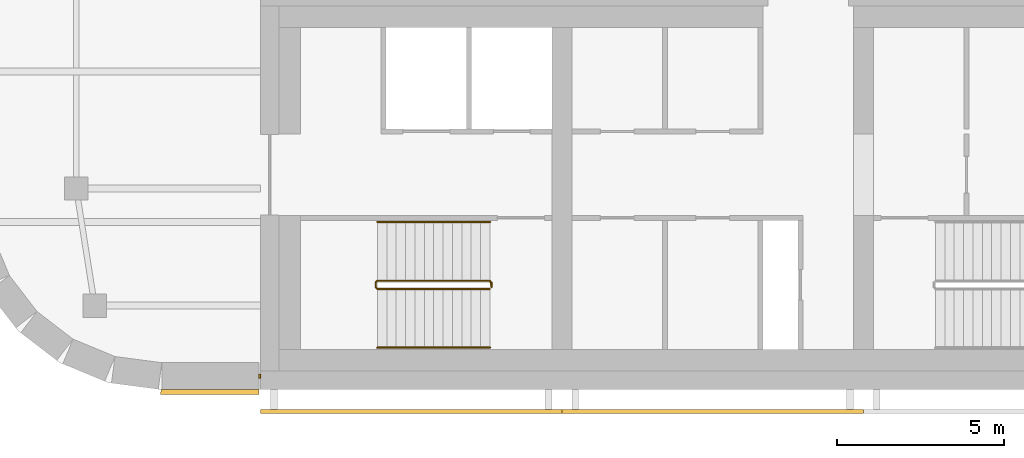
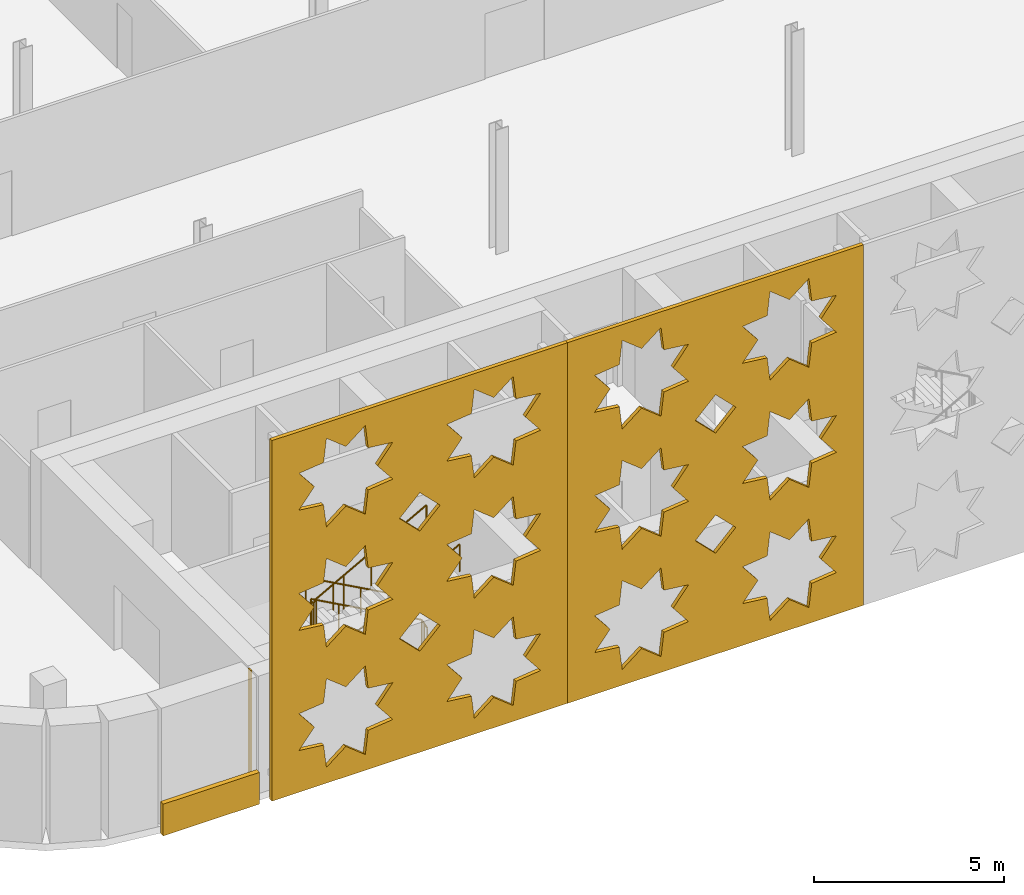
# One storey, part 12 of 15: 4 coverings, 3 railings.
"""IFC4 building model written with IfcOpenShell, lengths in metres."""

from ifc_helpers import new_model, si_unit, direction, frame, origin, origin_2d, place, context, subcontext, project, spatial, polyline, rectangle, circle, outline, extrude, material, layer, layer_set, type_object, element, save


model = new_model("IFC4")

# Units and contexts
model_context = context("Model", 3, precision=1e-05, world=origin(), true_north=direction((0.0, 1.0)))
body_context = subcontext(model_context, "Body", "Model", "MODEL_VIEW")
ifc_project = project(units=[si_unit("LENGTHUNIT", "METRE"), si_unit("AREAUNIT", "SQUARE_METRE"), si_unit("VOLUMEUNIT", "CUBIC_METRE"), si_unit("PLANEANGLEUNIT", "RADIAN"), si_unit("MASSUNIT", "GRAM", prefix="KILO")], contexts=[model_context])

# Site, building, storey
site_placement = place(None, origin())
site = spatial("IfcSite", under=ifc_project, at=site_placement, CompositionType="ELEMENT")
building_placement = place(site_placement, origin())
building = spatial("IfcBuilding", under=site, at=building_placement, Name="Zellij Exchange Tower", CompositionType="ELEMENT")
storey_placement = place(building_placement, frame((0.0, 0.0, 276.5)))
storey = spatial("IfcBuildingStorey", under=building, at=storey_placement, Name="L65", CompositionType="ELEMENT", Elevation=276.5)

# Railings
ifc_material_1 = material(Name="Stainless steel", Category="steel")
railing_type_1 = type_object("IfcRailingType", Name="CORE-RG stair guard", PredefinedType="GUARDRAIL", material=ifc_material_1)
railing_1_placement = place(storey_placement, frame((-20.10009765625, -10.800048828125, 0.0)))
element("IfcRailing", 1, at=railing_1_placement, inside=storey, type_object=railing_type_1, Name="ST1 stair guard L65", PredefinedType="GUARDRAIL", context=body_context, shape_type="SweptSolid", body=[
    extrude(circle(Radius=0.02392578125, at=origin_2d()), frame((0.0, 0.0, 1.076171875), z_axis=(0.0, -1.0, 0.0), x_axis=(1.0, 0.0, 0.0)), (0.0, 0.0, 1.0), 0.14990234375),
    extrude(circle(Radius=0.02392578125, at=origin_2d()), frame((0.0, -0.14990234375, 1.076171875), z_axis=(-0.193691321961, 0.777613689637, 0.598164376644), x_axis=(-0.970351222016, -0.241699205484, 0.0)), (0.0, 0.0, 1.0), 0.257080078125),
    extrude(circle(Radius=0.02392578125, at=origin_2d()), frame((-0.0498046875, 0.050048828125, 1.22998046875), z_axis=(-0.876421534553, 0.0, 0.481544695509), x_axis=(0.0, -1.0, 0.0)), (0.0, 0.0, 1.0), 3.833984375),
    extrude(circle(Radius=0.02392578125, at=origin_2d()), frame((-3.409912109375, 0.050048828125, 3.076171875), z_axis=(-0.707106781187, -0.707106781187, 0.0), x_axis=(0.707106781187, -0.707106781187, 0.0)), (0.0, 0.0, 1.0), 0.07080078125),
    extrude(circle(Radius=0.02392578125, at=origin_2d()), frame((-3.4599609375, 0.0, 3.076171875), z_axis=(0.0, -1.0, 0.0), x_axis=(1.0, 0.0, 0.0)), (0.0, 0.0, 1.0), 0.14990234375),
    extrude(circle(Radius=0.02392578125, at=origin_2d()), frame((-3.4599609375, -0.14990234375, 3.076171875), z_axis=(0.295599637079, -0.295599637079, 0.908428152975), x_axis=(0.707106781187, 0.707106781187, 0.0)), (0.0, 0.0, 1.0), 0.16943359375),
    extrude(circle(Radius=0.02392578125, at=origin_2d()), frame((-3.409912109375, -0.199951171875, 3.22998046875), z_axis=(0.876421534553, 0.0, 0.481544695509), x_axis=(0.0, 1.0, 0.0)), (0.0, 0.0, 1.0), 3.833984375),
    extrude(circle(Radius=0.02099609375, at=origin_2d()), origin(), (0.0, 0.0, 1.0), 1.052001953125),
    extrude(circle(Radius=0.02099609375, at=origin_2d()), frame((0.0, -0.14990234375, 0.0)), (0.0, 0.0, 1.0), 1.052001953125),
    extrude(circle(Radius=0.02099609375, at=origin_2d()), frame((-0.0498046875, 0.050048828125, 0.15380859375)), (0.0, 0.0, 1.0), 1.052001953125),
    extrude(circle(Radius=0.02099609375, at=origin_2d()), frame((-0.889892578125, 0.050048828125, 0.615234375)), (0.0, 0.0, 1.0), 1.052001953125),
    extrude(circle(Radius=0.02099609375, at=origin_2d()), frame((-1.72998046875, 0.050048828125, 1.076904296875)), (0.0, 0.0, 1.0), 1.052001953125),
    extrude(circle(Radius=0.02099609375, at=origin_2d()), frame((-2.56982421875, 0.050048828125, 1.53857421875)), (0.0, 0.0, 1.0), 1.052001953125),
    extrude(circle(Radius=0.02099609375, at=origin_2d()), frame((-3.409912109375, 0.050048828125, 2.0)), (0.0, 0.0, 1.0), 1.052001953125),
    extrude(circle(Radius=0.02099609375, at=origin_2d()), frame((-3.4599609375, 0.0, 2.0)), (0.0, 0.0, 1.0), 1.052001953125),
    extrude(circle(Radius=0.02099609375, at=origin_2d()), frame((-3.4599609375, -0.14990234375, 2.0)), (0.0, 0.0, 1.0), 1.052001953125),
    extrude(circle(Radius=0.02099609375, at=origin_2d()), frame((-3.409912109375, -0.199951171875, 2.15380859375)), (0.0, 0.0, 1.0), 1.052001953125),
    extrude(circle(Radius=0.02099609375, at=origin_2d()), frame((-2.56982421875, -0.199951171875, 2.615234375)), (0.0, 0.0, 1.0), 1.052001953125),
    extrude(circle(Radius=0.02099609375, at=origin_2d()), frame((-1.72998046875, -0.199951171875, 3.076904296875)), (0.0, 0.0, 1.0), 1.052001953125),
    extrude(circle(Radius=0.02099609375, at=origin_2d()), frame((-0.889892578125, -0.199951171875, 3.53857421875)), (0.0, 0.0, 1.0), 1.052001953125),
    extrude(circle(Radius=0.02099609375, at=origin_2d()), frame((-0.0498046875, -0.199951171875, 4.0)), (0.0, 0.0, 1.0), 1.052001953125),
])
railing_type_2 = type_object("IfcRailingType", Name="CORE-RH stair handrail", PredefinedType="HANDRAIL", material=ifc_material_1)
railing_2_placement = place(storey_placement, frame((-20.14990234375, -9.0, 0.15380859375)))
element("IfcRailing", 2, at=railing_2_placement, inside=storey, type_object=railing_type_2, Name="ST1 stair handrail L65", PredefinedType="HANDRAIL", context=body_context, shape_type="SweptSolid", body=[
    extrude(circle(Radius=0.02392578125, at=origin_2d()), frame((0.0, 0.0, 0.8759765625), z_axis=(-0.876421534553, 0.0, 0.481544695509), x_axis=(0.0, -1.0, 0.0)), (0.0, 0.0, 1.0), 3.833984375),
    extrude(circle(Radius=0.02099609375, at=origin_2d()), origin(), (0.0, 0.0, 1.0), 0.851806640625),
    extrude(circle(Radius=0.02099609375, at=origin_2d()), frame((-0.840087890625, 0.0, 0.46142578125)), (0.0, 0.0, 1.0), 0.851806640625),
    extrude(circle(Radius=0.02099609375, at=origin_2d()), frame((-1.68017578125, 0.0, 0.923095703125)), (0.0, 0.0, 1.0), 0.851806640625),
    extrude(circle(Radius=0.02099609375, at=origin_2d()), frame((-2.52001953125, 0.0, 1.384765625)), (0.0, 0.0, 1.0), 0.851806640625),
    extrude(circle(Radius=0.02099609375, at=origin_2d()), frame((-3.360107421875, 0.0, 1.84619140625)), (0.0, 0.0, 1.0), 0.851806640625),
])
railing_3_placement = place(storey_placement, frame((-23.510009765625, -12.75, 2.15380859375)))
element("IfcRailing", 3, at=railing_3_placement, inside=storey, type_object=railing_type_2, Name="ST1 stair handrail L65", PredefinedType="HANDRAIL", context=body_context, shape_type="SweptSolid", body=[
    extrude(circle(Radius=0.02392578125, at=origin_2d()), frame((0.0, 0.0, 0.8759765625), z_axis=(0.876421534553, 0.0, 0.481544695509), x_axis=(0.0, 1.0, 0.0)), (0.0, 0.0, 1.0), 3.833984375),
    extrude(circle(Radius=0.02099609375, at=origin_2d()), origin(), (0.0, 0.0, 1.0), 0.851806640625),
    extrude(circle(Radius=0.02099609375, at=origin_2d()), frame((0.840087890625, 0.0, 0.46142578125)), (0.0, 0.0, 1.0), 0.851806640625),
    extrude(circle(Radius=0.02099609375, at=origin_2d()), frame((1.68017578125, 0.0, 0.923095703125)), (0.0, 0.0, 1.0), 0.851806640625),
    extrude(circle(Radius=0.02099609375, at=origin_2d()), frame((2.52001953125, 0.0, 1.384765625)), (0.0, 0.0, 1.0), 0.851806640625),
    extrude(circle(Radius=0.02099609375, at=origin_2d()), frame((3.360107421875, 0.0, 1.84619140625)), (0.0, 0.0, 1.0), 0.851806640625),
])

# Coverings
ifc_material_2 = material(Name="Limestone cladding", Category="masonry")
ifc_layer_1 = layer(ifc_material_2, 0.14990234375)
ifc_layer_set_1 = layer_set([ifc_layer_1], Name="Limestone cladding")
covering_type_1 = type_object("IfcCoveringType", Name="ENV-CV1 Stone spandrel band 150", PredefinedType="CLADDING", material=ifc_layer_set_1)
covering_1_placement = place(storey_placement, frame((0.0, 0.0, -0.219970703125)))
element("IfcCovering", 4, at=covering_1_placement, inside=storey, type_object=covering_type_1, Name="Stone spandrel band", PredefinedType="CLADDING", context=body_context, shape_type="SweptSolid", body=[
    extrude(outline(polyline([(-29.973876953125, -14.0), (-27.050048828125, -14.0), (-27.050048828125, -14.14990234375), (-29.983642578125, -14.14990234375), (-29.973876953125, -14.0)])), origin(), (0.0, 0.0, 1.0), 1.02001953125),
])
ifc_layer_2 = layer(ifc_material_2, 0.1201171875)
ifc_layer_set_2 = layer_set([ifc_layer_2], Name="Limestone cladding")
covering_type_2 = type_object("IfcCoveringType", Name="ENV-CV18 Glazing closer 120", PredefinedType="CLADDING", material=ifc_layer_set_2)
covering_2_placement = place(storey_placement, frame((-27.02490234375, -13.60009765625, 0.0), z_axis=(0.0, 0.0, 1.0), x_axis=(1.0, 0.0, 0.0)))
element("IfcCovering", 5, at=covering_2_placement, inside=storey, type_object=covering_type_2, Name="Glazing closer", PredefinedType="CLADDING", context=body_context, shape_type="SweptSolid", body=[
    extrude(rectangle(XDim=0.050048828125, YDim=0.1201171875, at=origin_2d()), origin(), (0.0, 0.0, 1.0), 3.780029296875),
])
ifc_material_3 = material(Name="Limestone screen", Category="masonry")
ifc_layer_3 = layer(ifc_material_3, 0.1201171875)
ifc_layer_set_3 = layer_set([ifc_layer_3], Name="Limestone screen")
covering_type_3 = type_object("IfcCoveringType", Name="ENV-SC5 Pierced stone relief 120", PredefinedType="USERDEFINED", material=ifc_layer_set_3)
covering_3_placement = place(storey_placement, frame((-27.0, -14.659912109375, 0.199951171875), z_axis=(0.0, 0.0, 1.0), x_axis=(1.0, 0.0, 0.0)))
element("IfcCovering", 6, at=covering_3_placement, inside=storey, type_object=covering_type_3, Name="Pierced stone relief", ObjectType="SCREEN", PredefinedType="USERDEFINED", context=body_context, shape_type="SweptSolid", body=[
    extrude(outline(polyline([(0.0, 0.0), (9.0, 0.0), (9.0, 11.60009765625), (0.0, 11.60009765625), (0.0, 0.0)]), holes=[polyline([(3.678955078125, 2.525146484375), (2.927978515625, 2.611328125), (2.841796875, 3.3623046875), (2.25, 2.892333984375), (1.658203125, 3.3623046875), (1.572021484375, 2.611328125), (0.821044921875, 2.525146484375), (1.291015625, 1.933349609375), (0.821044921875, 1.34130859375), (1.572021484375, 1.25537109375), (1.658203125, 0.50439453125), (2.25, 0.974365234375), (2.841796875, 0.50439453125), (2.927978515625, 1.25537109375), (3.678955078125, 1.34130859375), (3.208984375, 1.933349609375), (3.678955078125, 2.525146484375)]), polyline([(3.678955078125, 6.391845703125), (2.927978515625, 6.47802734375), (2.841796875, 7.22900390625), (2.25, 6.7587890625), (1.658203125, 7.22900390625), (1.572021484375, 6.47802734375), (0.821044921875, 6.391845703125), (1.291015625, 5.800048828125), (0.821044921875, 5.2080078125), (1.572021484375, 5.121826171875), (1.658203125, 4.37109375), (2.25, 4.841064453125), (2.841796875, 4.37109375), (2.927978515625, 5.121826171875), (3.678955078125, 5.2080078125), (3.208984375, 5.800048828125), (3.678955078125, 6.391845703125)]), polyline([(3.678955078125, 10.258544921875), (2.927978515625, 10.3447265625), (2.841796875, 11.095703125), (2.25, 10.62548828125), (1.658203125, 11.095703125), (1.572021484375, 10.3447265625), (0.821044921875, 10.258544921875), (1.291015625, 9.666748046875), (0.821044921875, 9.07470703125), (1.572021484375, 8.988525390625), (1.658203125, 8.23779296875), (2.25, 8.707763671875), (2.841796875, 8.23779296875), (2.927978515625, 8.988525390625), (3.678955078125, 9.07470703125), (3.208984375, 9.666748046875), (3.678955078125, 10.258544921875)]), polyline([(8.178955078125, 2.525146484375), (7.427978515625, 2.611328125), (7.341796875, 3.3623046875), (6.75, 2.892333984375), (6.158203125, 3.3623046875), (6.072021484375, 2.611328125), (5.321044921875, 2.525146484375), (5.791015625, 1.933349609375), (5.321044921875, 1.34130859375), (6.072021484375, 1.25537109375), (6.158203125, 0.50439453125), (6.75, 0.974365234375), (7.341796875, 0.50439453125), (7.427978515625, 1.25537109375), (8.178955078125, 1.34130859375), (7.708984375, 1.933349609375), (8.178955078125, 2.525146484375)]), polyline([(8.178955078125, 6.391845703125), (7.427978515625, 6.47802734375), (7.341796875, 7.22900390625), (6.75, 6.7587890625), (6.158203125, 7.22900390625), (6.072021484375, 6.47802734375), (5.321044921875, 6.391845703125), (5.791015625, 5.800048828125), (5.321044921875, 5.2080078125), (6.072021484375, 5.121826171875), (6.158203125, 4.37109375), (6.75, 4.841064453125), (7.341796875, 4.37109375), (7.427978515625, 5.121826171875), (8.178955078125, 5.2080078125), (7.708984375, 5.800048828125), (8.178955078125, 6.391845703125)]), polyline([(8.178955078125, 10.258544921875), (7.427978515625, 10.3447265625), (7.341796875, 11.095703125), (6.75, 10.62548828125), (6.158203125, 11.095703125), (6.072021484375, 10.3447265625), (5.321044921875, 10.258544921875), (5.791015625, 9.666748046875), (5.321044921875, 9.07470703125), (6.072021484375, 8.988525390625), (6.158203125, 8.23779296875), (6.75, 8.707763671875), (7.341796875, 8.23779296875), (7.427978515625, 8.988525390625), (8.178955078125, 9.07470703125), (7.708984375, 9.666748046875), (8.178955078125, 10.258544921875)]), polyline([(5.11865234375, 3.86669921875), (4.5, 4.4853515625), (3.88134765625, 3.86669921875), (4.5, 3.248046875), (5.11865234375, 3.86669921875)]), polyline([(5.11865234375, 7.7333984375), (4.5, 8.35205078125), (3.88134765625, 7.7333984375), (4.5, 7.11474609375), (5.11865234375, 7.7333984375)])]), frame((0.0, 0.06005859375, 0.0), z_axis=(0.0, -1.0, 0.0), x_axis=(1.0, 0.0, 0.0)), (0.0, 0.0, 1.0), 0.1201171875),
])
covering_4_placement = place(storey_placement, frame((-18.0, -14.659912109375, 0.199951171875), z_axis=(0.0, 0.0, 1.0), x_axis=(1.0, 0.0, 0.0)))
element("IfcCovering", 7, at=covering_4_placement, inside=storey, type_object=covering_type_3, Name="Pierced stone relief", ObjectType="SCREEN", PredefinedType="USERDEFINED", context=body_context, shape_type="SweptSolid", body=[
    extrude(outline(polyline([(0.0, 0.0), (9.0, 0.0), (9.0, 11.60009765625), (0.0, 11.60009765625), (0.0, 0.0)]), holes=[polyline([(3.678955078125, 2.525146484375), (2.927978515625, 2.611328125), (2.841796875, 3.3623046875), (2.25, 2.892333984375), (1.658203125, 3.3623046875), (1.572021484375, 2.611328125), (0.821044921875, 2.525146484375), (1.291015625, 1.933349609375), (0.821044921875, 1.34130859375), (1.572021484375, 1.25537109375), (1.658203125, 0.50439453125), (2.25, 0.974365234375), (2.841796875, 0.50439453125), (2.927978515625, 1.25537109375), (3.678955078125, 1.34130859375), (3.208984375, 1.933349609375), (3.678955078125, 2.525146484375)]), polyline([(3.678955078125, 6.391845703125), (2.927978515625, 6.47802734375), (2.841796875, 7.22900390625), (2.25, 6.7587890625), (1.658203125, 7.22900390625), (1.572021484375, 6.47802734375), (0.821044921875, 6.391845703125), (1.291015625, 5.800048828125), (0.821044921875, 5.2080078125), (1.572021484375, 5.121826171875), (1.658203125, 4.37109375), (2.25, 4.841064453125), (2.841796875, 4.37109375), (2.927978515625, 5.121826171875), (3.678955078125, 5.2080078125), (3.208984375, 5.800048828125), (3.678955078125, 6.391845703125)]), polyline([(3.678955078125, 10.258544921875), (2.927978515625, 10.3447265625), (2.841796875, 11.095703125), (2.25, 10.62548828125), (1.658203125, 11.095703125), (1.572021484375, 10.3447265625), (0.821044921875, 10.258544921875), (1.291015625, 9.666748046875), (0.821044921875, 9.07470703125), (1.572021484375, 8.988525390625), (1.658203125, 8.23779296875), (2.25, 8.707763671875), (2.841796875, 8.23779296875), (2.927978515625, 8.988525390625), (3.678955078125, 9.07470703125), (3.208984375, 9.666748046875), (3.678955078125, 10.258544921875)]), polyline([(8.178955078125, 2.525146484375), (7.427978515625, 2.611328125), (7.341796875, 3.3623046875), (6.75, 2.892333984375), (6.158203125, 3.3623046875), (6.072021484375, 2.611328125), (5.321044921875, 2.525146484375), (5.791015625, 1.933349609375), (5.321044921875, 1.34130859375), (6.072021484375, 1.25537109375), (6.158203125, 0.50439453125), (6.75, 0.974365234375), (7.341796875, 0.50439453125), (7.427978515625, 1.25537109375), (8.178955078125, 1.34130859375), (7.708984375, 1.933349609375), (8.178955078125, 2.525146484375)]), polyline([(8.178955078125, 6.391845703125), (7.427978515625, 6.47802734375), (7.341796875, 7.22900390625), (6.75, 6.7587890625), (6.158203125, 7.22900390625), (6.072021484375, 6.47802734375), (5.321044921875, 6.391845703125), (5.791015625, 5.800048828125), (5.321044921875, 5.2080078125), (6.072021484375, 5.121826171875), (6.158203125, 4.37109375), (6.75, 4.841064453125), (7.341796875, 4.37109375), (7.427978515625, 5.121826171875), (8.178955078125, 5.2080078125), (7.708984375, 5.800048828125), (8.178955078125, 6.391845703125)]), polyline([(8.178955078125, 10.258544921875), (7.427978515625, 10.3447265625), (7.341796875, 11.095703125), (6.75, 10.62548828125), (6.158203125, 11.095703125), (6.072021484375, 10.3447265625), (5.321044921875, 10.258544921875), (5.791015625, 9.666748046875), (5.321044921875, 9.07470703125), (6.072021484375, 8.988525390625), (6.158203125, 8.23779296875), (6.75, 8.707763671875), (7.341796875, 8.23779296875), (7.427978515625, 8.988525390625), (8.178955078125, 9.07470703125), (7.708984375, 9.666748046875), (8.178955078125, 10.258544921875)]), polyline([(5.11865234375, 3.86669921875), (4.5, 4.4853515625), (3.88134765625, 3.86669921875), (4.5, 3.248046875), (5.11865234375, 3.86669921875)]), polyline([(5.11865234375, 7.7333984375), (4.5, 8.35205078125), (3.88134765625, 7.7333984375), (4.5, 7.11474609375), (5.11865234375, 7.7333984375)])]), frame((0.0, 0.06005859375, 0.0), z_axis=(0.0, -1.0, 0.0), x_axis=(1.0, 0.0, 0.0)), (0.0, 0.0, 1.0), 0.1201171875),
])

save(model, "model.ifc")
